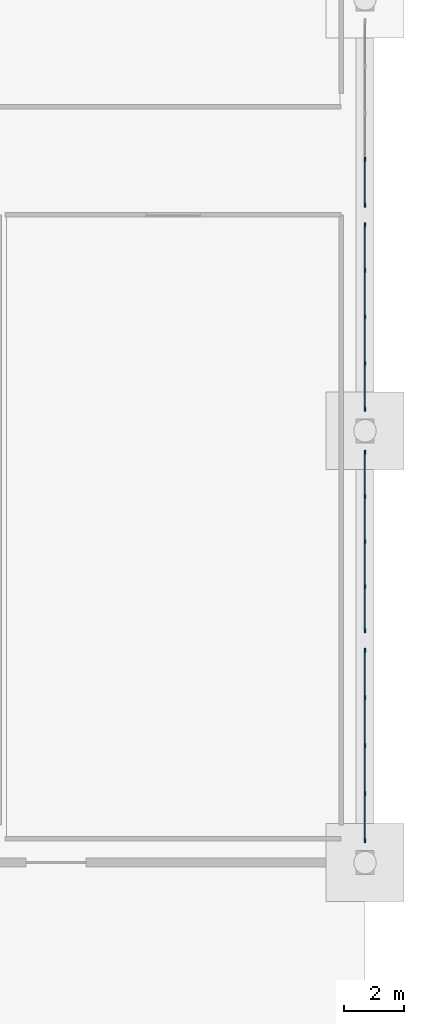
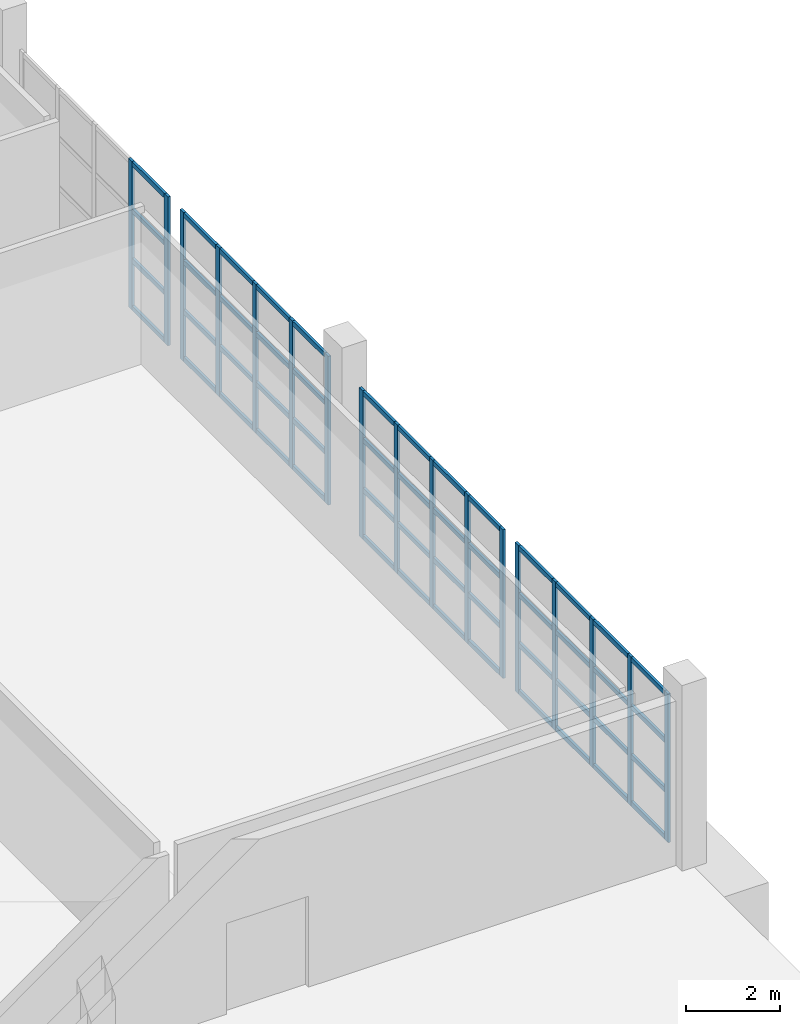
# One storey, part 116 of 285: 69 members, 4 elements without a shape of their own.
"""IFC4 building model written with IfcOpenShell, lengths in metres."""

from ifc_helpers import new_model, si_unit, direction, frame, origin, origin_2d, place, context, subcontext, project, spatial, rectangle, extrude, material, material_profile, profile_set, type_object, element, aggregate, save


model = new_model("IFC4")

# Units and contexts
model_context = context("Model", 3, precision=1e-05, world=origin(), true_north=direction((0.0, 1.0)))
body_context = subcontext(model_context, "Body", "Model", "MODEL_VIEW")
ifc_project = project(units=[si_unit("LENGTHUNIT", "METRE"), si_unit("AREAUNIT", "SQUARE_METRE"), si_unit("VOLUMEUNIT", "CUBIC_METRE"), si_unit("PLANEANGLEUNIT", "RADIAN"), si_unit("MASSUNIT", "GRAM", prefix="KILO")], contexts=[model_context])

# Site, building, storey
site_placement = place(None, origin())
site = spatial("IfcSite", under=ifc_project, at=site_placement, CompositionType="ELEMENT")
building_placement = place(site_placement, origin())
building = spatial("IfcBuilding", under=site, at=building_placement, Name="Solanera Park Tramway Depot", CompositionType="ELEMENT")
storey_placement = place(building_placement, origin())
storey = spatial("IfcBuildingStorey", under=building, at=storey_placement, Name="L00", CompositionType="ELEMENT", Elevation=0.0)

# Curtain wall, members
ifc_material_1 = material(Name="Bronze-anodised thermally broken aluminium curtain wall", Category="aluminium")
curtain_wall_type = type_object("IfcCurtainWallType", Name="Parkfront Loggia Curtain Wall", PredefinedType="NOTDEFINED", material=ifc_material_1)
curtain_wall_1_placement = place(storey_placement, origin())
curtain_wall_1 = element("IfcCurtainWall", 1, at=curtain_wall_1_placement, inside=storey, type_object=curtain_wall_type, Name="L00 Parkfront Loggia Curtain Wall #126", PredefinedType="NOTDEFINED")
ifc_material_2 = material(Name="Bronze-anodised structural aluminium 6063-T6", Category="aluminium")
ifc_material_profile_1 = material_profile(ifc_material_2, rectangle(XDim=0.06494140625, YDim=0.14990234375, at=origin_2d()), Name="Curtain Wall Mullion 65x150")
ifc_profile_set_1 = profile_set([ifc_material_profile_1], Name="Bronze-anodised structural aluminium 6063-T6")
member_type_1 = type_object("IfcMemberType", Name="Curtain Wall Mullion 65x150", PredefinedType="MULLION", material=ifc_profile_set_1)
member_1_placement = place(storey_placement, frame((216.0, 7.9326171875, 0.0), z_axis=(0.0, 0.0, 1.0), x_axis=(1.0, 0.0, 0.0)))
member_1 = element("IfcMember", 2, at=member_1_placement, type_object=member_type_1, Name="CW-L00-126 Mullion 1", PredefinedType="MULLION", context=body_context, shape_type="SweptSolid", body=[
    extrude(rectangle(XDim=0.06494140625, YDim=0.14990234375, at=origin_2d()), origin(), (0.0, 0.0, 1.0), 3.85009765625),
])
member_2_placement = place(storey_placement, frame((216.0, 9.5, 0.0), z_axis=(0.0, 0.0, 1.0), x_axis=(1.0, 0.0, 0.0)))
member_2 = element("IfcMember", 3, at=member_2_placement, type_object=member_type_1, Name="CW-L00-126 Mullion 2", PredefinedType="MULLION", context=body_context, shape_type="SweptSolid", body=[
    extrude(rectangle(XDim=0.06494140625, YDim=0.14990234375, at=origin_2d()), origin(), (0.0, 0.0, 1.0), 3.85009765625),
])
member_3_placement = place(storey_placement, frame((216.0, 11.10009765625, 0.0), z_axis=(0.0, 0.0, 1.0), x_axis=(1.0, 0.0, 0.0)))
member_3 = element("IfcMember", 4, at=member_3_placement, type_object=member_type_1, Name="CW-L00-126 Mullion 3", PredefinedType="MULLION", context=body_context, shape_type="SweptSolid", body=[
    extrude(rectangle(XDim=0.06494140625, YDim=0.14990234375, at=origin_2d()), origin(), (0.0, 0.0, 1.0), 3.85009765625),
])
member_4_placement = place(storey_placement, frame((216.0, 12.699951171875, 0.0), z_axis=(0.0, 0.0, 1.0), x_axis=(1.0, 0.0, 0.0)))
member_4 = element("IfcMember", 5, at=member_4_placement, type_object=member_type_1, Name="CW-L00-126 Mullion 4", PredefinedType="MULLION", context=body_context, shape_type="SweptSolid", body=[
    extrude(rectangle(XDim=0.06494140625, YDim=0.14990234375, at=origin_2d()), origin(), (0.0, 0.0, 1.0), 3.85009765625),
])
member_5_placement = place(storey_placement, frame((216.0, 14.267578125, 0.0), z_axis=(0.0, 0.0, 1.0), x_axis=(1.0, 0.0, 0.0)))
member_5 = element("IfcMember", 6, at=member_5_placement, type_object=member_type_1, Name="CW-L00-126 Mullion 5", PredefinedType="MULLION", context=body_context, shape_type="SweptSolid", body=[
    extrude(rectangle(XDim=0.06494140625, YDim=0.14990234375, at=origin_2d()), origin(), (0.0, 0.0, 1.0), 3.85009765625),
])

curtain_wall_2_placement = place(storey_placement, origin())
curtain_wall_2 = element("IfcCurtainWall", 7, at=curtain_wall_2_placement, inside=storey, type_object=curtain_wall_type, Name="L00 Parkfront Loggia Curtain Wall #127", PredefinedType="NOTDEFINED")
member_6_placement = place(storey_placement, frame((216.0, 14.9326171875, 0.0), z_axis=(0.0, 0.0, 1.0), x_axis=(1.0, 0.0, 0.0)))
member_6 = element("IfcMember", 8, at=member_6_placement, type_object=member_type_1, Name="CW-L00-127 Mullion 1", PredefinedType="MULLION", context=body_context, shape_type="SweptSolid", body=[
    extrude(rectangle(XDim=0.06494140625, YDim=0.14990234375, at=origin_2d()), origin(), (0.0, 0.0, 1.0), 3.85009765625),
])
member_7_placement = place(storey_placement, frame((216.0, 16.39990234375, 0.0), z_axis=(0.0, 0.0, 1.0), x_axis=(1.0, 0.0, 0.0)))
member_7 = element("IfcMember", 9, at=member_7_placement, type_object=member_type_1, Name="CW-L00-127 Mullion 2", PredefinedType="MULLION", context=body_context, shape_type="SweptSolid", body=[
    extrude(rectangle(XDim=0.06494140625, YDim=0.14990234375, at=origin_2d()), origin(), (0.0, 0.0, 1.0), 3.85009765625),
])
member_8_placement = place(storey_placement, frame((216.0, 17.89990234375, 0.0), z_axis=(0.0, 0.0, 1.0), x_axis=(1.0, 0.0, 0.0)))
member_8 = element("IfcMember", 10, at=member_8_placement, type_object=member_type_1, Name="CW-L00-127 Mullion 3", PredefinedType="MULLION", context=body_context, shape_type="SweptSolid", body=[
    extrude(rectangle(XDim=0.06494140625, YDim=0.14990234375, at=origin_2d()), origin(), (0.0, 0.0, 1.0), 3.85009765625),
])
member_9_placement = place(storey_placement, frame((216.0, 19.39990234375, 0.0), z_axis=(0.0, 0.0, 1.0), x_axis=(1.0, 0.0, 0.0)))
member_9 = element("IfcMember", 11, at=member_9_placement, type_object=member_type_1, Name="CW-L00-127 Mullion 4", PredefinedType="MULLION", context=body_context, shape_type="SweptSolid", body=[
    extrude(rectangle(XDim=0.06494140625, YDim=0.14990234375, at=origin_2d()), origin(), (0.0, 0.0, 1.0), 3.85009765625),
])
member_10_placement = place(storey_placement, frame((216.0, 20.867431640625, 0.0), z_axis=(0.0, 0.0, 1.0), x_axis=(1.0, 0.0, 0.0)))
member_10 = element("IfcMember", 12, at=member_10_placement, type_object=member_type_1, Name="CW-L00-127 Mullion 5", PredefinedType="MULLION", context=body_context, shape_type="SweptSolid", body=[
    extrude(rectangle(XDim=0.06494140625, YDim=0.14990234375, at=origin_2d()), origin(), (0.0, 0.0, 1.0), 3.85009765625),
])

curtain_wall_3_placement = place(storey_placement, origin())
curtain_wall_3 = element("IfcCurtainWall", 13, at=curtain_wall_3_placement, inside=storey, type_object=curtain_wall_type, Name="L00 Parkfront Loggia Curtain Wall #128", PredefinedType="NOTDEFINED")
member_11_placement = place(storey_placement, frame((216.0, 22.33251953125, 0.0), z_axis=(0.0, 0.0, 1.0), x_axis=(1.0, 0.0, 0.0)))
member_11 = element("IfcMember", 14, at=member_11_placement, type_object=member_type_1, Name="CW-L00-128 Mullion 1", PredefinedType="MULLION", context=body_context, shape_type="SweptSolid", body=[
    extrude(rectangle(XDim=0.06494140625, YDim=0.14990234375, at=origin_2d()), origin(), (0.0, 0.0, 1.0), 3.85009765625),
])
member_12_placement = place(storey_placement, frame((216.0, 23.85009765625, 0.0), z_axis=(0.0, 0.0, 1.0), x_axis=(1.0, 0.0, 0.0)))
member_12 = element("IfcMember", 15, at=member_12_placement, type_object=member_type_1, Name="CW-L00-128 Mullion 2", PredefinedType="MULLION", context=body_context, shape_type="SweptSolid", body=[
    extrude(rectangle(XDim=0.06494140625, YDim=0.14990234375, at=origin_2d()), origin(), (0.0, 0.0, 1.0), 3.85009765625),
])
member_13_placement = place(storey_placement, frame((216.0, 25.39990234375, 0.0), z_axis=(0.0, 0.0, 1.0), x_axis=(1.0, 0.0, 0.0)))
member_13 = element("IfcMember", 16, at=member_13_placement, type_object=member_type_1, Name="CW-L00-128 Mullion 3", PredefinedType="MULLION", context=body_context, shape_type="SweptSolid", body=[
    extrude(rectangle(XDim=0.06494140625, YDim=0.14990234375, at=origin_2d()), origin(), (0.0, 0.0, 1.0), 3.85009765625),
])
member_14_placement = place(storey_placement, frame((216.0, 26.949951171875, 0.0), z_axis=(0.0, 0.0, 1.0), x_axis=(1.0, 0.0, 0.0)))
member_14 = element("IfcMember", 17, at=member_14_placement, type_object=member_type_1, Name="CW-L00-128 Mullion 4", PredefinedType="MULLION", context=body_context, shape_type="SweptSolid", body=[
    extrude(rectangle(XDim=0.06494140625, YDim=0.14990234375, at=origin_2d()), origin(), (0.0, 0.0, 1.0), 3.85009765625),
])
member_15_placement = place(storey_placement, frame((216.0, 28.467529296875, 0.0), z_axis=(0.0, 0.0, 1.0), x_axis=(1.0, 0.0, 0.0)))
member_15 = element("IfcMember", 18, at=member_15_placement, type_object=member_type_1, Name="CW-L00-128 Mullion 5", PredefinedType="MULLION", context=body_context, shape_type="SweptSolid", body=[
    extrude(rectangle(XDim=0.06494140625, YDim=0.14990234375, at=origin_2d()), origin(), (0.0, 0.0, 1.0), 3.85009765625),
])

curtain_wall_4_placement = place(storey_placement, origin())
curtain_wall_4 = element("IfcCurtainWall", 19, at=curtain_wall_4_placement, inside=storey, type_object=curtain_wall_type, Name="L00 Parkfront Loggia Curtain Wall #129", PredefinedType="NOTDEFINED")
member_16_placement = place(storey_placement, frame((216.0, 29.132568359375, 0.0), z_axis=(0.0, 0.0, 1.0), x_axis=(1.0, 0.0, 0.0)))
member_16 = element("IfcMember", 20, at=member_16_placement, type_object=member_type_1, Name="CW-L00-129 Mullion 1", PredefinedType="MULLION", context=body_context, shape_type="SweptSolid", body=[
    extrude(rectangle(XDim=0.06494140625, YDim=0.14990234375, at=origin_2d()), origin(), (0.0, 0.0, 1.0), 3.85009765625),
])
member_17_placement = place(storey_placement, frame((216.0, 30.64990234375, 0.0), z_axis=(0.0, 0.0, 1.0), x_axis=(1.0, 0.0, 0.0)))
member_17 = element("IfcMember", 21, at=member_17_placement, type_object=member_type_1, Name="CW-L00-129 Mullion 2", PredefinedType="MULLION", context=body_context, shape_type="SweptSolid", body=[
    extrude(rectangle(XDim=0.06494140625, YDim=0.14990234375, at=origin_2d()), origin(), (0.0, 0.0, 1.0), 3.85009765625),
])

# Member
ifc_material_3 = material(Name="Bronze-anodised structural aluminium 6063-T6", Category="aluminium")
ifc_material_profile_2 = material_profile(ifc_material_3, rectangle(XDim=0.06494140625, YDim=0.1201171875, at=origin_2d()), Name="Curtain Wall Transom 65x120")
ifc_profile_set_2 = profile_set([ifc_material_profile_2], Name="Bronze-anodised structural aluminium 6063-T6")
member_type_2 = type_object("IfcMemberType", Name="Curtain Wall Transom 65x120", PredefinedType="USERDEFINED", material=ifc_profile_set_2)
member_18_placement = place(storey_placement, frame((216.0, 7.96044921875, 0.06005859375), z_axis=(0.0, 1.0, 0.0), x_axis=(-1.0, 0.0, 0.0)))
member_18 = element("IfcMember", 22, at=member_18_placement, type_object=member_type_2, Name="CW-L00-126 Transom R1.C1", ObjectType="TRANSOM", PredefinedType="USERDEFINED", context=body_context, shape_type="SweptSolid", body=[
    extrude(rectangle(XDim=0.06494140625, YDim=0.1201171875, at=origin_2d()), origin(), (0.0, 0.0, 1.0), 1.511474609375),
])

member_19_placement = place(storey_placement, frame((216.0, 9.528076171875, 0.06005859375), z_axis=(0.0, 1.0, 0.0), x_axis=(-1.0, 0.0, 0.0)))
member_19 = element("IfcMember", 23, at=member_19_placement, type_object=member_type_2, Name="CW-L00-126 Transom R1.C2", ObjectType="TRANSOM", PredefinedType="USERDEFINED", context=body_context, shape_type="SweptSolid", body=[
    extrude(rectangle(XDim=0.06494140625, YDim=0.1201171875, at=origin_2d()), origin(), (0.0, 0.0, 1.0), 1.5439453125),
])

member_20_placement = place(storey_placement, frame((216.0, 11.1279296875, 0.06005859375), z_axis=(0.0, 1.0, 0.0), x_axis=(-1.0, 0.0, 0.0)))
member_20 = element("IfcMember", 24, at=member_20_placement, type_object=member_type_2, Name="CW-L00-126 Transom R1.C3", ObjectType="TRANSOM", PredefinedType="USERDEFINED", context=body_context, shape_type="SweptSolid", body=[
    extrude(rectangle(XDim=0.06494140625, YDim=0.1201171875, at=origin_2d()), origin(), (0.0, 0.0, 1.0), 1.544189453125),
])

member_21_placement = place(storey_placement, frame((216.0, 12.72802734375, 0.06005859375), z_axis=(0.0, 1.0, 0.0), x_axis=(-1.0, 0.0, 0.0)))
member_21 = element("IfcMember", 25, at=member_21_placement, type_object=member_type_2, Name="CW-L00-126 Transom R1.C4", ObjectType="TRANSOM", PredefinedType="USERDEFINED", context=body_context, shape_type="SweptSolid", body=[
    extrude(rectangle(XDim=0.06494140625, YDim=0.1201171875, at=origin_2d()), origin(), (0.0, 0.0, 1.0), 1.511474609375),
])

member_22_placement = place(storey_placement, frame((216.0, 7.96044921875, 1.283203125), z_axis=(0.0, 1.0, 0.0), x_axis=(-1.0, 0.0, 0.0)))
member_22 = element("IfcMember", 26, at=member_22_placement, type_object=member_type_2, Name="CW-L00-126 Transom R2.C1", ObjectType="TRANSOM", PredefinedType="USERDEFINED", context=body_context, shape_type="SweptSolid", body=[
    extrude(rectangle(XDim=0.06494140625, YDim=0.1201171875, at=origin_2d()), origin(), (0.0, 0.0, 1.0), 1.511474609375),
])

member_23_placement = place(storey_placement, frame((216.0, 9.528076171875, 1.283203125), z_axis=(0.0, 1.0, 0.0), x_axis=(-1.0, 0.0, 0.0)))
member_23 = element("IfcMember", 27, at=member_23_placement, type_object=member_type_2, Name="CW-L00-126 Transom R2.C2", ObjectType="TRANSOM", PredefinedType="USERDEFINED", context=body_context, shape_type="SweptSolid", body=[
    extrude(rectangle(XDim=0.06494140625, YDim=0.1201171875, at=origin_2d()), origin(), (0.0, 0.0, 1.0), 1.5439453125),
])

member_24_placement = place(storey_placement, frame((216.0, 11.1279296875, 1.283203125), z_axis=(0.0, 1.0, 0.0), x_axis=(-1.0, 0.0, 0.0)))
member_24 = element("IfcMember", 28, at=member_24_placement, type_object=member_type_2, Name="CW-L00-126 Transom R2.C3", ObjectType="TRANSOM", PredefinedType="USERDEFINED", context=body_context, shape_type="SweptSolid", body=[
    extrude(rectangle(XDim=0.06494140625, YDim=0.1201171875, at=origin_2d()), origin(), (0.0, 0.0, 1.0), 1.544189453125),
])

member_25_placement = place(storey_placement, frame((216.0, 12.72802734375, 1.283203125), z_axis=(0.0, 1.0, 0.0), x_axis=(-1.0, 0.0, 0.0)))
member_25 = element("IfcMember", 29, at=member_25_placement, type_object=member_type_2, Name="CW-L00-126 Transom R2.C4", ObjectType="TRANSOM", PredefinedType="USERDEFINED", context=body_context, shape_type="SweptSolid", body=[
    extrude(rectangle(XDim=0.06494140625, YDim=0.1201171875, at=origin_2d()), origin(), (0.0, 0.0, 1.0), 1.511474609375),
])

member_26_placement = place(storey_placement, frame((216.0, 7.96044921875, 2.566650390625), z_axis=(0.0, 1.0, 0.0), x_axis=(-1.0, 0.0, 0.0)))
member_26 = element("IfcMember", 30, at=member_26_placement, type_object=member_type_2, Name="CW-L00-126 Transom R3.C1", ObjectType="TRANSOM", PredefinedType="USERDEFINED", context=body_context, shape_type="SweptSolid", body=[
    extrude(rectangle(XDim=0.06494140625, YDim=0.1201171875, at=origin_2d()), origin(), (0.0, 0.0, 1.0), 1.511474609375),
])

member_27_placement = place(storey_placement, frame((216.0, 9.528076171875, 2.566650390625), z_axis=(0.0, 1.0, 0.0), x_axis=(-1.0, 0.0, 0.0)))
member_27 = element("IfcMember", 31, at=member_27_placement, type_object=member_type_2, Name="CW-L00-126 Transom R3.C2", ObjectType="TRANSOM", PredefinedType="USERDEFINED", context=body_context, shape_type="SweptSolid", body=[
    extrude(rectangle(XDim=0.06494140625, YDim=0.1201171875, at=origin_2d()), origin(), (0.0, 0.0, 1.0), 1.5439453125),
])

member_28_placement = place(storey_placement, frame((216.0, 11.1279296875, 2.566650390625), z_axis=(0.0, 1.0, 0.0), x_axis=(-1.0, 0.0, 0.0)))
member_28 = element("IfcMember", 32, at=member_28_placement, type_object=member_type_2, Name="CW-L00-126 Transom R3.C3", ObjectType="TRANSOM", PredefinedType="USERDEFINED", context=body_context, shape_type="SweptSolid", body=[
    extrude(rectangle(XDim=0.06494140625, YDim=0.1201171875, at=origin_2d()), origin(), (0.0, 0.0, 1.0), 1.544189453125),
])

member_29_placement = place(storey_placement, frame((216.0, 12.72802734375, 2.566650390625), z_axis=(0.0, 1.0, 0.0), x_axis=(-1.0, 0.0, 0.0)))
member_29 = element("IfcMember", 33, at=member_29_placement, type_object=member_type_2, Name="CW-L00-126 Transom R3.C4", ObjectType="TRANSOM", PredefinedType="USERDEFINED", context=body_context, shape_type="SweptSolid", body=[
    extrude(rectangle(XDim=0.06494140625, YDim=0.1201171875, at=origin_2d()), origin(), (0.0, 0.0, 1.0), 1.511474609375),
])

member_30_placement = place(storey_placement, frame((216.0, 7.96044921875, 3.7900390625), z_axis=(0.0, 1.0, 0.0), x_axis=(-1.0, 0.0, 0.0)))
member_30 = element("IfcMember", 34, at=member_30_placement, type_object=member_type_2, Name="CW-L00-126 Transom R4.C1", ObjectType="TRANSOM", PredefinedType="USERDEFINED", context=body_context, shape_type="SweptSolid", body=[
    extrude(rectangle(XDim=0.06494140625, YDim=0.1201171875, at=origin_2d()), origin(), (0.0, 0.0, 1.0), 1.511474609375),
])

member_31_placement = place(storey_placement, frame((216.0, 9.528076171875, 3.7900390625), z_axis=(0.0, 1.0, 0.0), x_axis=(-1.0, 0.0, 0.0)))
member_31 = element("IfcMember", 35, at=member_31_placement, type_object=member_type_2, Name="CW-L00-126 Transom R4.C2", ObjectType="TRANSOM", PredefinedType="USERDEFINED", context=body_context, shape_type="SweptSolid", body=[
    extrude(rectangle(XDim=0.06494140625, YDim=0.1201171875, at=origin_2d()), origin(), (0.0, 0.0, 1.0), 1.5439453125),
])

member_32_placement = place(storey_placement, frame((216.0, 11.1279296875, 3.7900390625), z_axis=(0.0, 1.0, 0.0), x_axis=(-1.0, 0.0, 0.0)))
member_32 = element("IfcMember", 36, at=member_32_placement, type_object=member_type_2, Name="CW-L00-126 Transom R4.C3", ObjectType="TRANSOM", PredefinedType="USERDEFINED", context=body_context, shape_type="SweptSolid", body=[
    extrude(rectangle(XDim=0.06494140625, YDim=0.1201171875, at=origin_2d()), origin(), (0.0, 0.0, 1.0), 1.544189453125),
])

member_33_placement = place(storey_placement, frame((216.0, 12.72802734375, 3.7900390625), z_axis=(0.0, 1.0, 0.0), x_axis=(-1.0, 0.0, 0.0)))
member_33 = element("IfcMember", 37, at=member_33_placement, type_object=member_type_2, Name="CW-L00-126 Transom R4.C4", ObjectType="TRANSOM", PredefinedType="USERDEFINED", context=body_context, shape_type="SweptSolid", body=[
    extrude(rectangle(XDim=0.06494140625, YDim=0.1201171875, at=origin_2d()), origin(), (0.0, 0.0, 1.0), 1.511474609375),
])

aggregate(curtain_wall_1, [member_1, member_2, member_3, member_4, member_5, member_18, member_19, member_20, member_21, member_22, member_23, member_24, member_25, member_26, member_27, member_28, member_29, member_30, member_31, member_32, member_33])

member_34_placement = place(storey_placement, frame((216.0, 14.96044921875, 0.06005859375), z_axis=(0.0, 1.0, 0.0), x_axis=(-1.0, 0.0, 0.0)))
member_34 = element("IfcMember", 38, at=member_34_placement, type_object=member_type_2, Name="CW-L00-127 Transom R1.C1", ObjectType="TRANSOM", PredefinedType="USERDEFINED", context=body_context, shape_type="SweptSolid", body=[
    extrude(rectangle(XDim=0.06494140625, YDim=0.1201171875, at=origin_2d()), origin(), (0.0, 0.0, 1.0), 1.41162109375),
])

member_35_placement = place(storey_placement, frame((216.0, 16.427978515625, 0.06005859375), z_axis=(0.0, 1.0, 0.0), x_axis=(-1.0, 0.0, 0.0)))
member_35 = element("IfcMember", 39, at=member_35_placement, type_object=member_type_2, Name="CW-L00-127 Transom R1.C2", ObjectType="TRANSOM", PredefinedType="USERDEFINED", context=body_context, shape_type="SweptSolid", body=[
    extrude(rectangle(XDim=0.06494140625, YDim=0.1201171875, at=origin_2d()), origin(), (0.0, 0.0, 1.0), 1.444091796875),
])

member_36_placement = place(storey_placement, frame((216.0, 17.927978515625, 0.06005859375), z_axis=(0.0, 1.0, 0.0), x_axis=(-1.0, 0.0, 0.0)))
member_36 = element("IfcMember", 40, at=member_36_placement, type_object=member_type_2, Name="CW-L00-127 Transom R1.C3", ObjectType="TRANSOM", PredefinedType="USERDEFINED", context=body_context, shape_type="SweptSolid", body=[
    extrude(rectangle(XDim=0.06494140625, YDim=0.1201171875, at=origin_2d()), origin(), (0.0, 0.0, 1.0), 1.444091796875),
])

member_37_placement = place(storey_placement, frame((216.0, 19.427978515625, 0.06005859375), z_axis=(0.0, 1.0, 0.0), x_axis=(-1.0, 0.0, 0.0)))
member_37 = element("IfcMember", 41, at=member_37_placement, type_object=member_type_2, Name="CW-L00-127 Transom R1.C4", ObjectType="TRANSOM", PredefinedType="USERDEFINED", context=body_context, shape_type="SweptSolid", body=[
    extrude(rectangle(XDim=0.06494140625, YDim=0.1201171875, at=origin_2d()), origin(), (0.0, 0.0, 1.0), 1.41162109375),
])

member_38_placement = place(storey_placement, frame((216.0, 14.96044921875, 1.283203125), z_axis=(0.0, 1.0, 0.0), x_axis=(-1.0, 0.0, 0.0)))
member_38 = element("IfcMember", 42, at=member_38_placement, type_object=member_type_2, Name="CW-L00-127 Transom R2.C1", ObjectType="TRANSOM", PredefinedType="USERDEFINED", context=body_context, shape_type="SweptSolid", body=[
    extrude(rectangle(XDim=0.06494140625, YDim=0.1201171875, at=origin_2d()), origin(), (0.0, 0.0, 1.0), 1.41162109375),
])

member_39_placement = place(storey_placement, frame((216.0, 16.427978515625, 1.283203125), z_axis=(0.0, 1.0, 0.0), x_axis=(-1.0, 0.0, 0.0)))
member_39 = element("IfcMember", 43, at=member_39_placement, type_object=member_type_2, Name="CW-L00-127 Transom R2.C2", ObjectType="TRANSOM", PredefinedType="USERDEFINED", context=body_context, shape_type="SweptSolid", body=[
    extrude(rectangle(XDim=0.06494140625, YDim=0.1201171875, at=origin_2d()), origin(), (0.0, 0.0, 1.0), 1.444091796875),
])

member_40_placement = place(storey_placement, frame((216.0, 17.927978515625, 1.283203125), z_axis=(0.0, 1.0, 0.0), x_axis=(-1.0, 0.0, 0.0)))
member_40 = element("IfcMember", 44, at=member_40_placement, type_object=member_type_2, Name="CW-L00-127 Transom R2.C3", ObjectType="TRANSOM", PredefinedType="USERDEFINED", context=body_context, shape_type="SweptSolid", body=[
    extrude(rectangle(XDim=0.06494140625, YDim=0.1201171875, at=origin_2d()), origin(), (0.0, 0.0, 1.0), 1.444091796875),
])

member_41_placement = place(storey_placement, frame((216.0, 19.427978515625, 1.283203125), z_axis=(0.0, 1.0, 0.0), x_axis=(-1.0, 0.0, 0.0)))
member_41 = element("IfcMember", 45, at=member_41_placement, type_object=member_type_2, Name="CW-L00-127 Transom R2.C4", ObjectType="TRANSOM", PredefinedType="USERDEFINED", context=body_context, shape_type="SweptSolid", body=[
    extrude(rectangle(XDim=0.06494140625, YDim=0.1201171875, at=origin_2d()), origin(), (0.0, 0.0, 1.0), 1.41162109375),
])

member_42_placement = place(storey_placement, frame((216.0, 14.96044921875, 2.566650390625), z_axis=(0.0, 1.0, 0.0), x_axis=(-1.0, 0.0, 0.0)))
member_42 = element("IfcMember", 46, at=member_42_placement, type_object=member_type_2, Name="CW-L00-127 Transom R3.C1", ObjectType="TRANSOM", PredefinedType="USERDEFINED", context=body_context, shape_type="SweptSolid", body=[
    extrude(rectangle(XDim=0.06494140625, YDim=0.1201171875, at=origin_2d()), origin(), (0.0, 0.0, 1.0), 1.41162109375),
])

member_43_placement = place(storey_placement, frame((216.0, 16.427978515625, 2.566650390625), z_axis=(0.0, 1.0, 0.0), x_axis=(-1.0, 0.0, 0.0)))
member_43 = element("IfcMember", 47, at=member_43_placement, type_object=member_type_2, Name="CW-L00-127 Transom R3.C2", ObjectType="TRANSOM", PredefinedType="USERDEFINED", context=body_context, shape_type="SweptSolid", body=[
    extrude(rectangle(XDim=0.06494140625, YDim=0.1201171875, at=origin_2d()), origin(), (0.0, 0.0, 1.0), 1.444091796875),
])

member_44_placement = place(storey_placement, frame((216.0, 17.927978515625, 2.566650390625), z_axis=(0.0, 1.0, 0.0), x_axis=(-1.0, 0.0, 0.0)))
member_44 = element("IfcMember", 48, at=member_44_placement, type_object=member_type_2, Name="CW-L00-127 Transom R3.C3", ObjectType="TRANSOM", PredefinedType="USERDEFINED", context=body_context, shape_type="SweptSolid", body=[
    extrude(rectangle(XDim=0.06494140625, YDim=0.1201171875, at=origin_2d()), origin(), (0.0, 0.0, 1.0), 1.444091796875),
])

member_45_placement = place(storey_placement, frame((216.0, 19.427978515625, 2.566650390625), z_axis=(0.0, 1.0, 0.0), x_axis=(-1.0, 0.0, 0.0)))
member_45 = element("IfcMember", 49, at=member_45_placement, type_object=member_type_2, Name="CW-L00-127 Transom R3.C4", ObjectType="TRANSOM", PredefinedType="USERDEFINED", context=body_context, shape_type="SweptSolid", body=[
    extrude(rectangle(XDim=0.06494140625, YDim=0.1201171875, at=origin_2d()), origin(), (0.0, 0.0, 1.0), 1.41162109375),
])

member_46_placement = place(storey_placement, frame((216.0, 14.96044921875, 3.7900390625), z_axis=(0.0, 1.0, 0.0), x_axis=(-1.0, 0.0, 0.0)))
member_46 = element("IfcMember", 50, at=member_46_placement, type_object=member_type_2, Name="CW-L00-127 Transom R4.C1", ObjectType="TRANSOM", PredefinedType="USERDEFINED", context=body_context, shape_type="SweptSolid", body=[
    extrude(rectangle(XDim=0.06494140625, YDim=0.1201171875, at=origin_2d()), origin(), (0.0, 0.0, 1.0), 1.41162109375),
])

member_47_placement = place(storey_placement, frame((216.0, 16.427978515625, 3.7900390625), z_axis=(0.0, 1.0, 0.0), x_axis=(-1.0, 0.0, 0.0)))
member_47 = element("IfcMember", 51, at=member_47_placement, type_object=member_type_2, Name="CW-L00-127 Transom R4.C2", ObjectType="TRANSOM", PredefinedType="USERDEFINED", context=body_context, shape_type="SweptSolid", body=[
    extrude(rectangle(XDim=0.06494140625, YDim=0.1201171875, at=origin_2d()), origin(), (0.0, 0.0, 1.0), 1.444091796875),
])

member_48_placement = place(storey_placement, frame((216.0, 17.927978515625, 3.7900390625), z_axis=(0.0, 1.0, 0.0), x_axis=(-1.0, 0.0, 0.0)))
member_48 = element("IfcMember", 52, at=member_48_placement, type_object=member_type_2, Name="CW-L00-127 Transom R4.C3", ObjectType="TRANSOM", PredefinedType="USERDEFINED", context=body_context, shape_type="SweptSolid", body=[
    extrude(rectangle(XDim=0.06494140625, YDim=0.1201171875, at=origin_2d()), origin(), (0.0, 0.0, 1.0), 1.444091796875),
])

member_49_placement = place(storey_placement, frame((216.0, 19.427978515625, 3.7900390625), z_axis=(0.0, 1.0, 0.0), x_axis=(-1.0, 0.0, 0.0)))
member_49 = element("IfcMember", 53, at=member_49_placement, type_object=member_type_2, Name="CW-L00-127 Transom R4.C4", ObjectType="TRANSOM", PredefinedType="USERDEFINED", context=body_context, shape_type="SweptSolid", body=[
    extrude(rectangle(XDim=0.06494140625, YDim=0.1201171875, at=origin_2d()), origin(), (0.0, 0.0, 1.0), 1.41162109375),
])

aggregate(curtain_wall_2, [member_6, member_7, member_8, member_9, member_10, member_34, member_35, member_36, member_37, member_38, member_39, member_40, member_41, member_42, member_43, member_44, member_45, member_46, member_47, member_48, member_49])

member_50_placement = place(storey_placement, frame((216.0, 22.360595703125, 0.06005859375), z_axis=(0.0, 1.0, 0.0), x_axis=(-1.0, 0.0, 0.0)))
member_50 = element("IfcMember", 54, at=member_50_placement, type_object=member_type_2, Name="CW-L00-128 Transom R1.C1", ObjectType="TRANSOM", PredefinedType="USERDEFINED", context=body_context, shape_type="SweptSolid", body=[
    extrude(rectangle(XDim=0.06494140625, YDim=0.1201171875, at=origin_2d()), origin(), (0.0, 0.0, 1.0), 1.46142578125),
])

member_51_placement = place(storey_placement, frame((216.0, 23.8779296875, 0.06005859375), z_axis=(0.0, 1.0, 0.0), x_axis=(-1.0, 0.0, 0.0)))
member_51 = element("IfcMember", 55, at=member_51_placement, type_object=member_type_2, Name="CW-L00-128 Transom R1.C2", ObjectType="TRANSOM", PredefinedType="USERDEFINED", context=body_context, shape_type="SweptSolid", body=[
    extrude(rectangle(XDim=0.06494140625, YDim=0.1201171875, at=origin_2d()), origin(), (0.0, 0.0, 1.0), 1.494140625),
])

member_52_placement = place(storey_placement, frame((216.0, 25.427978515625, 0.06005859375), z_axis=(0.0, 1.0, 0.0), x_axis=(-1.0, 0.0, 0.0)))
member_52 = element("IfcMember", 56, at=member_52_placement, type_object=member_type_2, Name="CW-L00-128 Transom R1.C3", ObjectType="TRANSOM", PredefinedType="USERDEFINED", context=body_context, shape_type="SweptSolid", body=[
    extrude(rectangle(XDim=0.06494140625, YDim=0.1201171875, at=origin_2d()), origin(), (0.0, 0.0, 1.0), 1.494140625),
])

member_53_placement = place(storey_placement, frame((216.0, 26.97802734375, 0.06005859375), z_axis=(0.0, 1.0, 0.0), x_axis=(-1.0, 0.0, 0.0)))
member_53 = element("IfcMember", 57, at=member_53_placement, type_object=member_type_2, Name="CW-L00-128 Transom R1.C4", ObjectType="TRANSOM", PredefinedType="USERDEFINED", context=body_context, shape_type="SweptSolid", body=[
    extrude(rectangle(XDim=0.06494140625, YDim=0.1201171875, at=origin_2d()), origin(), (0.0, 0.0, 1.0), 1.46142578125),
])

member_54_placement = place(storey_placement, frame((216.0, 22.360595703125, 1.283203125), z_axis=(0.0, 1.0, 0.0), x_axis=(-1.0, 0.0, 0.0)))
member_54 = element("IfcMember", 58, at=member_54_placement, type_object=member_type_2, Name="CW-L00-128 Transom R2.C1", ObjectType="TRANSOM", PredefinedType="USERDEFINED", context=body_context, shape_type="SweptSolid", body=[
    extrude(rectangle(XDim=0.06494140625, YDim=0.1201171875, at=origin_2d()), origin(), (0.0, 0.0, 1.0), 1.46142578125),
])

member_55_placement = place(storey_placement, frame((216.0, 23.8779296875, 1.283203125), z_axis=(0.0, 1.0, 0.0), x_axis=(-1.0, 0.0, 0.0)))
member_55 = element("IfcMember", 59, at=member_55_placement, type_object=member_type_2, Name="CW-L00-128 Transom R2.C2", ObjectType="TRANSOM", PredefinedType="USERDEFINED", context=body_context, shape_type="SweptSolid", body=[
    extrude(rectangle(XDim=0.06494140625, YDim=0.1201171875, at=origin_2d()), origin(), (0.0, 0.0, 1.0), 1.494140625),
])

member_56_placement = place(storey_placement, frame((216.0, 25.427978515625, 1.283203125), z_axis=(0.0, 1.0, 0.0), x_axis=(-1.0, 0.0, 0.0)))
member_56 = element("IfcMember", 60, at=member_56_placement, type_object=member_type_2, Name="CW-L00-128 Transom R2.C3", ObjectType="TRANSOM", PredefinedType="USERDEFINED", context=body_context, shape_type="SweptSolid", body=[
    extrude(rectangle(XDim=0.06494140625, YDim=0.1201171875, at=origin_2d()), origin(), (0.0, 0.0, 1.0), 1.494140625),
])

member_57_placement = place(storey_placement, frame((216.0, 26.97802734375, 1.283203125), z_axis=(0.0, 1.0, 0.0), x_axis=(-1.0, 0.0, 0.0)))
member_57 = element("IfcMember", 61, at=member_57_placement, type_object=member_type_2, Name="CW-L00-128 Transom R2.C4", ObjectType="TRANSOM", PredefinedType="USERDEFINED", context=body_context, shape_type="SweptSolid", body=[
    extrude(rectangle(XDim=0.06494140625, YDim=0.1201171875, at=origin_2d()), origin(), (0.0, 0.0, 1.0), 1.46142578125),
])

member_58_placement = place(storey_placement, frame((216.0, 22.360595703125, 2.566650390625), z_axis=(0.0, 1.0, 0.0), x_axis=(-1.0, 0.0, 0.0)))
member_58 = element("IfcMember", 62, at=member_58_placement, type_object=member_type_2, Name="CW-L00-128 Transom R3.C1", ObjectType="TRANSOM", PredefinedType="USERDEFINED", context=body_context, shape_type="SweptSolid", body=[
    extrude(rectangle(XDim=0.06494140625, YDim=0.1201171875, at=origin_2d()), origin(), (0.0, 0.0, 1.0), 1.46142578125),
])

member_59_placement = place(storey_placement, frame((216.0, 23.8779296875, 2.566650390625), z_axis=(0.0, 1.0, 0.0), x_axis=(-1.0, 0.0, 0.0)))
member_59 = element("IfcMember", 63, at=member_59_placement, type_object=member_type_2, Name="CW-L00-128 Transom R3.C2", ObjectType="TRANSOM", PredefinedType="USERDEFINED", context=body_context, shape_type="SweptSolid", body=[
    extrude(rectangle(XDim=0.06494140625, YDim=0.1201171875, at=origin_2d()), origin(), (0.0, 0.0, 1.0), 1.494140625),
])

member_60_placement = place(storey_placement, frame((216.0, 25.427978515625, 2.566650390625), z_axis=(0.0, 1.0, 0.0), x_axis=(-1.0, 0.0, 0.0)))
member_60 = element("IfcMember", 64, at=member_60_placement, type_object=member_type_2, Name="CW-L00-128 Transom R3.C3", ObjectType="TRANSOM", PredefinedType="USERDEFINED", context=body_context, shape_type="SweptSolid", body=[
    extrude(rectangle(XDim=0.06494140625, YDim=0.1201171875, at=origin_2d()), origin(), (0.0, 0.0, 1.0), 1.494140625),
])

member_61_placement = place(storey_placement, frame((216.0, 26.97802734375, 2.566650390625), z_axis=(0.0, 1.0, 0.0), x_axis=(-1.0, 0.0, 0.0)))
member_61 = element("IfcMember", 65, at=member_61_placement, type_object=member_type_2, Name="CW-L00-128 Transom R3.C4", ObjectType="TRANSOM", PredefinedType="USERDEFINED", context=body_context, shape_type="SweptSolid", body=[
    extrude(rectangle(XDim=0.06494140625, YDim=0.1201171875, at=origin_2d()), origin(), (0.0, 0.0, 1.0), 1.46142578125),
])

member_62_placement = place(storey_placement, frame((216.0, 22.360595703125, 3.7900390625), z_axis=(0.0, 1.0, 0.0), x_axis=(-1.0, 0.0, 0.0)))
member_62 = element("IfcMember", 66, at=member_62_placement, type_object=member_type_2, Name="CW-L00-128 Transom R4.C1", ObjectType="TRANSOM", PredefinedType="USERDEFINED", context=body_context, shape_type="SweptSolid", body=[
    extrude(rectangle(XDim=0.06494140625, YDim=0.1201171875, at=origin_2d()), origin(), (0.0, 0.0, 1.0), 1.46142578125),
])

member_63_placement = place(storey_placement, frame((216.0, 23.8779296875, 3.7900390625), z_axis=(0.0, 1.0, 0.0), x_axis=(-1.0, 0.0, 0.0)))
member_63 = element("IfcMember", 67, at=member_63_placement, type_object=member_type_2, Name="CW-L00-128 Transom R4.C2", ObjectType="TRANSOM", PredefinedType="USERDEFINED", context=body_context, shape_type="SweptSolid", body=[
    extrude(rectangle(XDim=0.06494140625, YDim=0.1201171875, at=origin_2d()), origin(), (0.0, 0.0, 1.0), 1.494140625),
])

member_64_placement = place(storey_placement, frame((216.0, 25.427978515625, 3.7900390625), z_axis=(0.0, 1.0, 0.0), x_axis=(-1.0, 0.0, 0.0)))
member_64 = element("IfcMember", 68, at=member_64_placement, type_object=member_type_2, Name="CW-L00-128 Transom R4.C3", ObjectType="TRANSOM", PredefinedType="USERDEFINED", context=body_context, shape_type="SweptSolid", body=[
    extrude(rectangle(XDim=0.06494140625, YDim=0.1201171875, at=origin_2d()), origin(), (0.0, 0.0, 1.0), 1.494140625),
])

member_65_placement = place(storey_placement, frame((216.0, 26.97802734375, 3.7900390625), z_axis=(0.0, 1.0, 0.0), x_axis=(-1.0, 0.0, 0.0)))
member_65 = element("IfcMember", 69, at=member_65_placement, type_object=member_type_2, Name="CW-L00-128 Transom R4.C4", ObjectType="TRANSOM", PredefinedType="USERDEFINED", context=body_context, shape_type="SweptSolid", body=[
    extrude(rectangle(XDim=0.06494140625, YDim=0.1201171875, at=origin_2d()), origin(), (0.0, 0.0, 1.0), 1.46142578125),
])

aggregate(curtain_wall_3, [member_11, member_12, member_13, member_14, member_15, member_50, member_51, member_52, member_53, member_54, member_55, member_56, member_57, member_58, member_59, member_60, member_61, member_62, member_63, member_64, member_65])

member_66_placement = place(storey_placement, frame((216.0, 29.160400390625, 0.06005859375), z_axis=(0.0, 1.0, 0.0), x_axis=(-1.0, 0.0, 0.0)))
member_66 = element("IfcMember", 70, at=member_66_placement, type_object=member_type_2, Name="CW-L00-129 Transom R1.C1", ObjectType="TRANSOM", PredefinedType="USERDEFINED", context=body_context, shape_type="SweptSolid", body=[
    extrude(rectangle(XDim=0.06494140625, YDim=0.1201171875, at=origin_2d()), origin(), (0.0, 0.0, 1.0), 1.461669921875),
])

member_67_placement = place(storey_placement, frame((216.0, 29.160400390625, 1.283203125), z_axis=(0.0, 1.0, 0.0), x_axis=(-1.0, 0.0, 0.0)))
member_67 = element("IfcMember", 71, at=member_67_placement, type_object=member_type_2, Name="CW-L00-129 Transom R2.C1", ObjectType="TRANSOM", PredefinedType="USERDEFINED", context=body_context, shape_type="SweptSolid", body=[
    extrude(rectangle(XDim=0.06494140625, YDim=0.1201171875, at=origin_2d()), origin(), (0.0, 0.0, 1.0), 1.461669921875),
])

member_68_placement = place(storey_placement, frame((216.0, 29.160400390625, 2.566650390625), z_axis=(0.0, 1.0, 0.0), x_axis=(-1.0, 0.0, 0.0)))
member_68 = element("IfcMember", 72, at=member_68_placement, type_object=member_type_2, Name="CW-L00-129 Transom R3.C1", ObjectType="TRANSOM", PredefinedType="USERDEFINED", context=body_context, shape_type="SweptSolid", body=[
    extrude(rectangle(XDim=0.06494140625, YDim=0.1201171875, at=origin_2d()), origin(), (0.0, 0.0, 1.0), 1.461669921875),
])

member_69_placement = place(storey_placement, frame((216.0, 29.160400390625, 3.7900390625), z_axis=(0.0, 1.0, 0.0), x_axis=(-1.0, 0.0, 0.0)))
member_69 = element("IfcMember", 73, at=member_69_placement, type_object=member_type_2, Name="CW-L00-129 Transom R4.C1", ObjectType="TRANSOM", PredefinedType="USERDEFINED", context=body_context, shape_type="SweptSolid", body=[
    extrude(rectangle(XDim=0.06494140625, YDim=0.1201171875, at=origin_2d()), origin(), (0.0, 0.0, 1.0), 1.461669921875),
])

aggregate(curtain_wall_4, [member_16, member_17, member_66, member_67, member_68, member_69])

save(model, "model.ifc")
